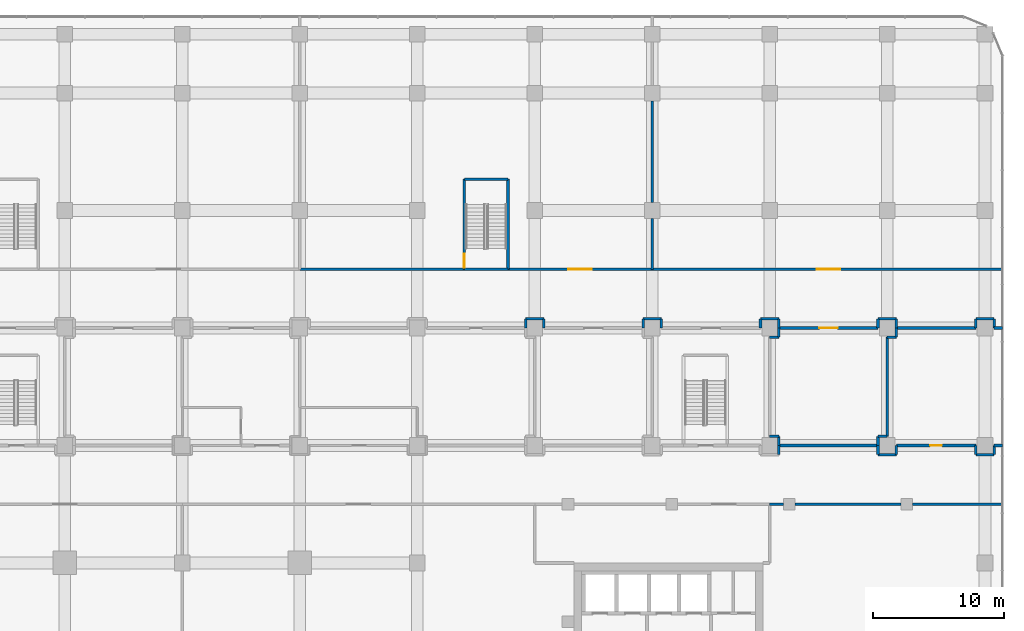
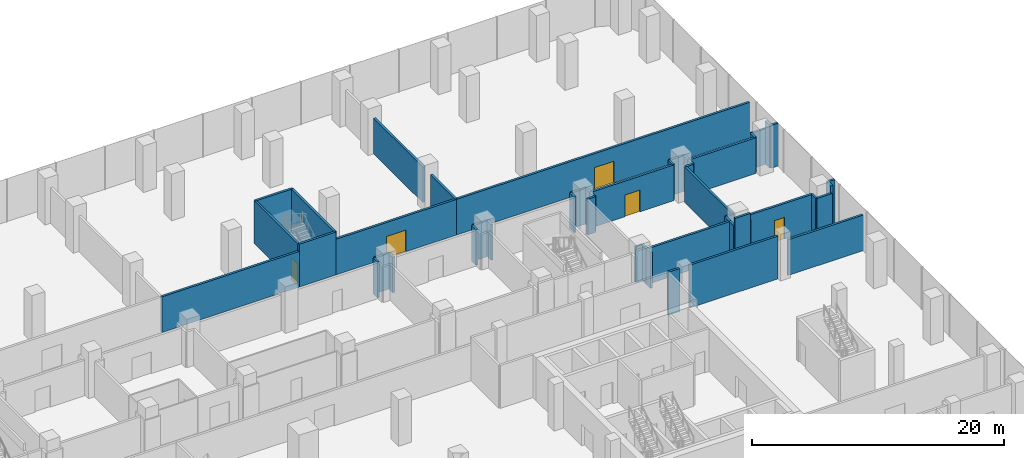
# One storey, part 36 of 43: 49 walls, 5 doors, 5 openings.
"""IFC4 building model written with IfcOpenShell, lengths in metres."""

from ifc_helpers import new_model, si_unit, direction, frame, frame_2d, origin, place, context, subcontext, project, spatial, rectangle, extrude, material, layer, layer_set, type_object, element, fill, save


model = new_model("IFC4")

# Units and contexts
model_context = context("Model", 3, precision=1e-05, world=origin(), true_north=direction((0.0, 1.0)))
body_context = subcontext(model_context, "Body", "Model", "MODEL_VIEW")
ifc_project = project(units=[si_unit("LENGTHUNIT", "METRE"), si_unit("AREAUNIT", "SQUARE_METRE"), si_unit("VOLUMEUNIT", "CUBIC_METRE"), si_unit("PLANEANGLEUNIT", "RADIAN"), si_unit("MASSUNIT", "GRAM", prefix="KILO")], contexts=[model_context])

# Site, building, storey
site_placement = place(None, origin())
site = spatial("IfcSite", under=ifc_project, at=site_placement, CompositionType="ELEMENT")
building_placement = place(site_placement, origin())
building = spatial("IfcBuilding", under=site, at=building_placement, Name="Plateau Cross Towers", CompositionType="ELEMENT")
storey_placement = place(building_placement, frame((0.0, 0.0, 12.800048828125)))
storey = spatial("IfcBuildingStorey", under=building, at=storey_placement, Name="L02", CompositionType="ELEMENT", Elevation=12.800048828125)

# Wall, opening, door
ifc_material_1 = material(Name="Gypsum board on steel studs", Category="steel")
ifc_layer_1 = layer(ifc_material_1, 0.199951171875)
ifc_layer_set_1 = layer_set([ifc_layer_1], Name="Gypsum board on steel studs")
wall_type_1 = type_object("IfcWallType", Name="Podium partition 200", PredefinedType="PARTITIONING", material=ifc_layer_set_1)
wall_1_placement = place(storey_placement, frame((81.0, 40.5, 0.0), z_axis=(0.0, 0.0, 1.0), x_axis=(1.0, 0.0, 0.0)))
wall_1 = element("IfcWall", 1, at=wall_1_placement, inside=storey, type_object=wall_type_1, Name="Partition wall", PredefinedType="PARTITIONING", context=body_context, shape_type="SweptSolid", body=[
    extrude(rectangle(XDim=26.85009765625, YDim=0.199951171875, at=frame_2d((13.425048828125, 0.0))), origin(), (0.0, 0.0, 1.0), 3.449951171875),
])
opening_1_placement = place(wall_1_placement, frame((12.60009765625, 0.0, 0.0)))
opening_1 = element("IfcOpeningElement", 2, at=opening_1_placement, cuts=wall_1, Name="Opening 02-36", PredefinedType="OPENING", context=body_context, shape_type="SweptSolid", body=[
    extrude(rectangle(XDim=1.800048828125, YDim=2.10009765625, at=frame_2d((0.89990234375, 1.050048828125))), frame((0.0, 0.10986328125, 0.0), z_axis=(0.0, -1.0, 0.0), x_axis=(1.0, 0.0, 0.0)), (0.0, 0.0, 1.0), 0.219970703125),
])
ifc_material_2 = material(Name="Aluminium frame, toughened glass", Category="aluminium")
door_type_1 = type_object("IfcDoorType", Name="Podium door pair 1800", OperationType="NOTDEFINED", PredefinedType="DOOR", material=ifc_material_2)
door_1_placement = place(opening_1_placement, origin())
door_1 = element("IfcDoor", 3, at=door_1_placement, inside=storey, type_object=door_type_1, Name="Door 02-36", OperationType="DOUBLE_DOOR_SINGLE_SWING", OverallHeight=2.10009765625, OverallWidth=1.800048828125, PredefinedType="DOOR", context=body_context, shape_type="SweptSolid", body=[
    extrude(rectangle(XDim=1.800048828125, YDim=2.10009765625, at=frame_2d((0.89990234375, 1.050048828125))), frame((0.0, 0.02490234375, 0.0), z_axis=(0.0, -1.0, 0.0), x_axis=(1.0, 0.0, 0.0)), (0.0, 0.0, 1.0), 0.050048828125),
])
fill(opening_1, door_1)

# Walls
wall_2_placement = place(storey_placement, frame((81.0, 53.39990234375, 0.0), z_axis=(0.0, 0.0, 1.0), x_axis=(0.0, -1.0, 0.0)))
element("IfcWall", 4, at=wall_2_placement, inside=storey, type_object=wall_type_1, Name="Partition wall", PredefinedType="PARTITIONING", context=body_context, shape_type="SweptSolid", body=[
    extrude(rectangle(XDim=7.7998046875, YDim=0.199951171875, at=frame_2d((3.89990234375, 0.0))), origin(), (0.0, 0.0, 1.0), 3.449951171875),
])
wall_3_placement = place(storey_placement, frame((81.0, 44.39990234375, 0.0), z_axis=(0.0, 0.0, 1.0), x_axis=(0.0, -1.0, 0.0)))
element("IfcWall", 5, at=wall_3_placement, inside=storey, type_object=wall_type_1, Name="Partition wall", PredefinedType="PARTITIONING", context=body_context, shape_type="SweptSolid", body=[
    extrude(rectangle(XDim=3.89990234375, YDim=0.199951171875, at=frame_2d((1.949951171875, 0.0))), origin(), (0.0, 0.0, 1.0), 3.449951171875),
])
wall_4_placement = place(storey_placement, frame((107.85009765625, 22.5, 0.0), z_axis=(0.0, 0.0, 1.0), x_axis=(-1.0, 0.0, 0.0)))
element("IfcWall", 6, at=wall_4_placement, inside=storey, type_object=wall_type_1, Name="Partition wall", PredefinedType="PARTITIONING", context=body_context, shape_type="SweptSolid", body=[
    extrude(rectangle(XDim=6.900146484375, YDim=0.199951171875, at=frame_2d((3.4501953125, 0.0))), origin(), (0.0, 0.0, 1.0), 3.449951171875),
])
wall_5_placement = place(storey_placement, frame((100.050048828125, 22.5, 0.0), z_axis=(0.0, 0.0, 1.0), x_axis=(-1.0, 0.0, 0.0)))
element("IfcWall", 7, at=wall_5_placement, inside=storey, type_object=wall_type_1, Name="Partition wall", PredefinedType="PARTITIONING", context=body_context, shape_type="SweptSolid", body=[
    extrude(rectangle(XDim=8.10009765625, YDim=0.199951171875, at=frame_2d((4.050048828125, 0.0))), origin(), (0.0, 0.0, 1.0), 4.14990234375),
])
wall_6_placement = place(storey_placement, frame((91.050048828125, 22.5, 0.0), z_axis=(0.0, 0.0, 1.0), x_axis=(-1.0, 0.0, 0.0)))
element("IfcWall", 8, at=wall_6_placement, inside=storey, type_object=wall_type_1, Name="Partition wall", PredefinedType="PARTITIONING", context=body_context, shape_type="SweptSolid", body=[
    extrude(rectangle(XDim=1.050048828125, YDim=0.199951171875, at=frame_2d((0.52490234375, 0.0))), origin(), (0.0, 0.0, 1.0), 4.14990234375),
])
wall_7_placement = place(storey_placement, frame((90.699951171875, 36.0, 0.0), z_axis=(0.0, 0.0, 1.0), x_axis=(0.0, 1.0, 0.0)))
element("IfcWall", 9, at=wall_7_placement, inside=storey, type_object=wall_type_1, Name="Partition wall", PredefinedType="PARTITIONING", context=body_context, shape_type="SweptSolid", body=[
    extrude(rectangle(XDim=0.699951171875, YDim=0.199951171875, at=frame_2d((0.35009765625, 0.0))), origin(), (0.0, 0.0, 1.0), 3.449951171875),
])
wall_8_placement = place(storey_placement, frame((90.699951171875, 36.699951171875, 0.0), z_axis=(0.0, 0.0, 1.0), x_axis=(-1.0, 0.0, 0.0)))
element("IfcWall", 10, at=wall_8_placement, inside=storey, type_object=wall_type_1, Name="Partition wall", PredefinedType="PARTITIONING", context=body_context, shape_type="SweptSolid", body=[
    extrude(rectangle(XDim=1.39990234375, YDim=0.199951171875, at=frame_2d((0.699951171875, 0.0))), origin(), (0.0, 0.0, 1.0), 3.449951171875),
])
for number, where, z_axis, x_axis, name in (
    (11, (89.300048828125, 36.699951171875, 0.0), (0.0, 0.0, 1.0), (0.0, -1.0, 0.0), "Partition wall"),
    (12, (81.699951171875, 36.0, 0.0), (0.0, 0.0, 1.0), (0.0, 1.0, 0.0), "Partition wall"),
):
    element("IfcWall", number, at=place(storey_placement, frame(where, z_axis=z_axis, x_axis=x_axis)), inside=storey, type_object=wall_type_1, Name=name, PredefinedType="PARTITIONING", context=body_context, shape_type="SweptSolid", body=[
        extrude(rectangle(XDim=0.699951171875, YDim=0.199951171875, at=frame_2d((0.35009765625, 0.0))), origin(), (0.0, 0.0, 1.0), 3.449951171875),
    ])
wall_9_placement = place(storey_placement, frame((81.699951171875, 36.699951171875, 0.0), z_axis=(0.0, 0.0, 1.0), x_axis=(-1.0, 0.0, 0.0)))
element("IfcWall", 13, at=wall_9_placement, inside=storey, type_object=wall_type_1, Name="Partition wall", PredefinedType="PARTITIONING", context=body_context, shape_type="SweptSolid", body=[
    extrude(rectangle(XDim=1.39990234375, YDim=0.199951171875, at=frame_2d((0.699951171875, 0.0))), origin(), (0.0, 0.0, 1.0), 3.449951171875),
])
wall_10_placement = place(storey_placement, frame((80.300048828125, 36.699951171875, 0.0), z_axis=(0.0, 0.0, 1.0), x_axis=(0.0, -1.0, 0.0)))
element("IfcWall", 14, at=wall_10_placement, inside=storey, type_object=wall_type_1, Name="Partition wall", PredefinedType="PARTITIONING", context=body_context, shape_type="SweptSolid", body=[
    extrude(rectangle(XDim=0.699951171875, YDim=0.199951171875, at=frame_2d((0.35009765625, 0.0))), origin(), (0.0, 0.0, 1.0), 3.449951171875),
])
wall_11_placement = place(storey_placement, frame((54.0, 40.5, 0.0), z_axis=(0.0, 0.0, 1.0), x_axis=(1.0, 0.0, 0.0)))
element("IfcWall", 15, at=wall_11_placement, inside=storey, type_object=wall_type_1, Name="Partition wall", PredefinedType="PARTITIONING", context=body_context, shape_type="SweptSolid", body=[
    extrude(rectangle(XDim=12.60009765625, YDim=0.199951171875, at=frame_2d((6.300048828125, 0.0))), origin(), (0.0, 0.0, 1.0), 3.449951171875),
])
wall_12_placement = place(storey_placement, frame((98.300048828125, 27.0, 0.0), z_axis=(0.0, 0.0, 1.0), x_axis=(0.0, -1.0, 0.0)))
element("IfcWall", 16, at=wall_12_placement, inside=storey, type_object=wall_type_1, Name="Partition wall", PredefinedType="PARTITIONING", context=body_context, shape_type="SweptSolid", body=[
    extrude(rectangle(XDim=0.699951171875, YDim=0.199951171875, at=frame_2d((0.35009765625, 0.0))), origin(), (0.0, 0.0, 1.0), 3.449951171875),
])
wall_13_placement = place(storey_placement, frame((98.300048828125, 26.300048828125, 0.0), z_axis=(0.0, 0.0, 1.0), x_axis=(1.0, 0.0, 0.0)))
element("IfcWall", 17, at=wall_13_placement, inside=storey, type_object=wall_type_1, Name="Partition wall", PredefinedType="PARTITIONING", context=body_context, shape_type="SweptSolid", body=[
    extrude(rectangle(XDim=1.39990234375, YDim=0.199951171875, at=frame_2d((0.699951171875, 0.0))), origin(), (0.0, 0.0, 1.0), 4.14990234375),
])
wall_14_placement = place(storey_placement, frame((99.699951171875, 26.300048828125, 0.0), z_axis=(0.0, 0.0, 1.0), x_axis=(0.0, 1.0, 0.0)))
element("IfcWall", 18, at=wall_14_placement, inside=storey, type_object=wall_type_1, Name="Partition wall", PredefinedType="PARTITIONING", context=body_context, shape_type="SweptSolid", body=[
    extrude(rectangle(XDim=0.699951171875, YDim=0.199951171875, at=frame_2d((0.35009765625, 0.0))), origin(), (0.0, 0.0, 1.0), 3.449951171875),
])

# Wall, opening, door
wall_15_placement = place(storey_placement, frame((99.699951171875, 27.0, 0.0), z_axis=(0.0, 0.0, 1.0), x_axis=(1.0, 0.0, 0.0)))
wall_15 = element("IfcWall", 19, at=wall_15_placement, inside=storey, type_object=wall_type_1, Name="Partition wall", PredefinedType="PARTITIONING", context=body_context, shape_type="SweptSolid", body=[
    extrude(rectangle(XDim=6.10009765625, YDim=0.199951171875, at=frame_2d((3.050048828125, 0.0))), origin(), (0.0, 0.0, 1.0), 3.449951171875),
])
opening_2_placement = place(wall_15_placement, frame((2.60009765625, 0.0, 0.0)))
opening_2 = element("IfcOpeningElement", 20, at=opening_2_placement, cuts=wall_15, Name="Opening 02-30", PredefinedType="OPENING", context=body_context, shape_type="SweptSolid", body=[
    extrude(rectangle(XDim=0.89990234375, YDim=2.10009765625, at=frame_2d((0.449951171875, 1.050048828125))), frame((0.0, 0.10986328125, 0.0), z_axis=(0.0, -1.0, 0.0), x_axis=(1.0, 0.0, 0.0)), (0.0, 0.0, 1.0), 0.219970703125),
])
ifc_material_3 = material(Name="Timber leaf", Category="wood")
door_type_2 = type_object("IfcDoorType", Name="Podium room door 900", OperationType="NOTDEFINED", PredefinedType="DOOR", material=ifc_material_3)
door_2_placement = place(opening_2_placement, origin())
door_2 = element("IfcDoor", 21, at=door_2_placement, inside=storey, type_object=door_type_2, Name="Door 02-30", OperationType="SINGLE_SWING_LEFT", OverallHeight=2.10009765625, OverallWidth=0.89990234375, PredefinedType="DOOR", context=body_context, shape_type="SweptSolid", body=[
    extrude(rectangle(XDim=0.89990234375, YDim=2.10009765625, at=frame_2d((0.449951171875, 1.050048828125))), frame((0.0, 0.02490234375, 0.0), z_axis=(0.0, -1.0, 0.0), x_axis=(1.0, 0.0, 0.0)), (0.0, 0.0, 1.0), 0.050048828125),
])
fill(opening_2, door_2)

# Walls
wall_16_placement = place(storey_placement, frame((105.800048828125, 27.0, 0.0), z_axis=(0.0, 0.0, 1.0), x_axis=(0.0, -1.0, 0.0)))
element("IfcWall", 22, at=wall_16_placement, inside=storey, type_object=wall_type_1, Name="Partition wall", PredefinedType="PARTITIONING", context=body_context, shape_type="SweptSolid", body=[
    extrude(rectangle(XDim=0.699951171875, YDim=0.199951171875, at=frame_2d((0.35009765625, 0.0))), origin(), (0.0, 0.0, 1.0), 3.449951171875),
])
wall_17_placement = place(storey_placement, frame((105.800048828125, 26.300048828125, 0.0), z_axis=(0.0, 0.0, 1.0), x_axis=(1.0, 0.0, 0.0)))
element("IfcWall", 23, at=wall_17_placement, inside=storey, type_object=wall_type_1, Name="Partition wall", PredefinedType="PARTITIONING", context=body_context, shape_type="SweptSolid", body=[
    extrude(rectangle(XDim=1.39990234375, YDim=0.199951171875, at=frame_2d((0.699951171875, 0.0))), origin(), (0.0, 0.0, 1.0), 3.449951171875),
])
wall_18_placement = place(storey_placement, frame((107.199951171875, 26.300048828125, 0.0), z_axis=(0.0, 0.0, 1.0), x_axis=(0.0, 1.0, 0.0)))
element("IfcWall", 24, at=wall_18_placement, inside=storey, type_object=wall_type_1, Name="Partition wall", PredefinedType="PARTITIONING", context=body_context, shape_type="SweptSolid", body=[
    extrude(rectangle(XDim=0.699951171875, YDim=0.199951171875, at=frame_2d((0.35009765625, 0.0))), origin(), (0.0, 0.0, 1.0), 4.14990234375),
])
wall_19_placement = place(storey_placement, frame((107.199951171875, 27.0, 0.0), z_axis=(0.0, 0.0, 1.0), x_axis=(1.0, 0.0, 0.0)))
element("IfcWall", 25, at=wall_19_placement, inside=storey, type_object=wall_type_1, Name="Partition wall", PredefinedType="PARTITIONING", context=body_context, shape_type="SweptSolid", body=[
    extrude(rectangle(XDim=0.650146484375, YDim=0.199951171875, at=frame_2d((0.3251953125, 0.0))), origin(), (0.0, 0.0, 1.0), 4.14990234375),
])

# Wall, opening, door
wall_20_placement = place(storey_placement, frame((69.949951171875, 40.5, 0.0), z_axis=(0.0, 0.0, 1.0), x_axis=(1.0, 0.0, 0.0)))
wall_20 = element("IfcWall", 26, at=wall_20_placement, inside=storey, type_object=wall_type_1, Name="Partition wall", PredefinedType="PARTITIONING", context=body_context, shape_type="SweptSolid", body=[
    extrude(rectangle(XDim=11.050048828125, YDim=0.199951171875, at=frame_2d((5.52490234375, 0.0))), origin(), (0.0, 0.0, 1.0), 3.449951171875),
])
opening_3_placement = place(wall_20_placement, frame((4.60009765625, 0.0, 0.0)))
opening_3 = element("IfcOpeningElement", 27, at=opening_3_placement, cuts=wall_20, Name="Opening 02-37", PredefinedType="OPENING", context=body_context, shape_type="SweptSolid", body=[
    extrude(rectangle(XDim=1.800048828125, YDim=2.10009765625, at=frame_2d((0.89990234375, 1.050048828125))), frame((0.0, 0.10986328125, 0.0), z_axis=(0.0, -1.0, 0.0), x_axis=(1.0, 0.0, 0.0)), (0.0, 0.0, 1.0), 0.219970703125),
])
door_3_placement = place(opening_3_placement, origin())
door_3 = element("IfcDoor", 28, at=door_3_placement, inside=storey, type_object=door_type_1, Name="Door 02-37", OperationType="DOUBLE_DOOR_SINGLE_SWING", OverallHeight=2.10009765625, OverallWidth=1.800048828125, PredefinedType="DOOR", context=body_context, shape_type="SweptSolid", body=[
    extrude(rectangle(XDim=1.800048828125, YDim=2.10009765625, at=frame_2d((0.89990234375, 1.050048828125))), frame((0.0, 0.02490234375, 0.0), z_axis=(0.0, -1.0, 0.0), x_axis=(1.0, 0.0, 0.0)), (0.0, 0.0, 1.0), 0.050048828125),
])
fill(opening_3, door_3)

# Walls
wall_21_placement = place(storey_placement, frame((72.699951171875, 36.0, 0.0), z_axis=(0.0, 0.0, 1.0), x_axis=(0.0, 1.0, 0.0)))
element("IfcWall", 29, at=wall_21_placement, inside=storey, type_object=wall_type_1, Name="Partition wall", PredefinedType="PARTITIONING", context=body_context, shape_type="SweptSolid", body=[
    extrude(rectangle(XDim=0.699951171875, YDim=0.199951171875, at=frame_2d((0.35009765625, 0.0))), origin(), (0.0, 0.0, 1.0), 3.449951171875),
])
wall_22_placement = place(storey_placement, frame((72.699951171875, 36.699951171875, 0.0), z_axis=(0.0, 0.0, 1.0), x_axis=(-1.0, 0.0, 0.0)))
element("IfcWall", 30, at=wall_22_placement, inside=storey, type_object=wall_type_1, Name="Partition wall", PredefinedType="PARTITIONING", context=body_context, shape_type="SweptSolid", body=[
    extrude(rectangle(XDim=1.39990234375, YDim=0.199951171875, at=frame_2d((0.699951171875, 0.0))), origin(), (0.0, 0.0, 1.0), 3.449951171875),
])
for number, where, z_axis, x_axis, name in (
    (31, (71.300048828125, 36.699951171875, 0.0), (0.0, 0.0, 1.0), (0.0, -1.0, 0.0), "Partition wall"),
    (32, (99.699951171875, 36.0, 0.0), (0.0, 0.0, 1.0), (0.0, 1.0, 0.0), "Partition wall"),
):
    element("IfcWall", number, at=place(storey_placement, frame(where, z_axis=z_axis, x_axis=x_axis)), inside=storey, type_object=wall_type_1, Name=name, PredefinedType="PARTITIONING", context=body_context, shape_type="SweptSolid", body=[
        extrude(rectangle(XDim=0.699951171875, YDim=0.199951171875, at=frame_2d((0.35009765625, 0.0))), origin(), (0.0, 0.0, 1.0), 3.449951171875),
    ])
wall_23_placement = place(storey_placement, frame((99.699951171875, 36.699951171875, 0.0), z_axis=(0.0, 0.0, 1.0), x_axis=(-1.0, 0.0, 0.0)))
element("IfcWall", 33, at=wall_23_placement, inside=storey, type_object=wall_type_1, Name="Partition wall", PredefinedType="PARTITIONING", context=body_context, shape_type="SweptSolid", body=[
    extrude(rectangle(XDim=1.39990234375, YDim=0.199951171875, at=frame_2d((0.699951171875, 0.0))), origin(), (0.0, 0.0, 1.0), 3.449951171875),
])
wall_24_placement = place(storey_placement, frame((98.300048828125, 36.699951171875, 0.0), z_axis=(0.0, 0.0, 1.0), x_axis=(0.0, -1.0, 0.0)))
element("IfcWall", 34, at=wall_24_placement, inside=storey, type_object=wall_type_1, Name="Partition wall", PredefinedType="PARTITIONING", context=body_context, shape_type="SweptSolid", body=[
    extrude(rectangle(XDim=0.699951171875, YDim=0.199951171875, at=frame_2d((0.35009765625, 0.0))), origin(), (0.0, 0.0, 1.0), 3.449951171875),
])

# Wall, opening, door
wall_25_placement = place(storey_placement, frame((98.300048828125, 36.0, 0.0), z_axis=(0.0, 0.0, 1.0), x_axis=(-1.0, 0.0, 0.0)))
wall_25 = element("IfcWall", 35, at=wall_25_placement, inside=storey, type_object=wall_type_1, Name="Partition wall", PredefinedType="PARTITIONING", context=body_context, shape_type="SweptSolid", body=[
    extrude(rectangle(XDim=7.60009765625, YDim=0.199951171875, at=frame_2d((3.800048828125, 0.0))), origin(), (0.0, 0.0, 1.0), 3.449951171875),
])
opening_4_placement = place(wall_25_placement, frame((3.10009765625, 0.0, 0.0)))
opening_4 = element("IfcOpeningElement", 36, at=opening_4_placement, cuts=wall_25, Name="Opening 02-29", PredefinedType="OPENING", context=body_context, shape_type="SweptSolid", body=[
    extrude(rectangle(XDim=1.39990234375, YDim=2.10009765625, at=frame_2d((0.699951171875, 1.050048828125))), frame((0.0, 0.10986328125, 0.0), z_axis=(0.0, -1.0, 0.0), x_axis=(1.0, 0.0, 0.0)), (0.0, 0.0, 1.0), 0.219970703125),
])
ifc_material_4 = material(Name="Timber, hospital grade leaf", Category="wood")
door_type_3 = type_object("IfcDoorType", Name="Clinic bed access door 1400x2100", OperationType="NOTDEFINED", PredefinedType="DOOR", material=ifc_material_4)
door_4_placement = place(opening_4_placement, origin())
door_4 = element("IfcDoor", 37, at=door_4_placement, inside=storey, type_object=door_type_3, Name="Door 02-29", OperationType="SINGLE_SWING_LEFT", OverallHeight=2.10009765625, OverallWidth=1.39990234375, PredefinedType="DOOR", context=body_context, shape_type="SweptSolid", body=[
    extrude(rectangle(XDim=1.39990234375, YDim=2.10009765625, at=frame_2d((0.699951171875, 1.050048828125))), frame((0.0, 0.02490234375, 0.0), z_axis=(0.0, -1.0, 0.0), x_axis=(1.0, 0.0, 0.0)), (0.0, 0.0, 1.0), 0.050048828125),
])
fill(opening_4, door_4)

# Walls
for number, where, z_axis, x_axis, name in (
    (38, (99.699951171875, 36.0, 0.0), (0.0, 0.0, 1.0), (0.0, -1.0, 0.0), "Partition wall"),
    (39, (99.699951171875, 35.300048828125, 0.0), (0.0, 0.0, 1.0), (-1.0, 0.0, 0.0), "Partition wall"),
):
    element("IfcWall", number, at=place(storey_placement, frame(where, z_axis=z_axis, x_axis=x_axis)), inside=storey, type_object=wall_type_1, Name=name, PredefinedType="PARTITIONING", context=body_context, shape_type="SweptSolid", body=[
        extrude(rectangle(XDim=0.699951171875, YDim=0.199951171875, at=frame_2d((0.35009765625, 0.0))), origin(), (0.0, 0.0, 1.0), 3.449951171875),
    ])
wall_26_placement = place(storey_placement, frame((99.0, 35.300048828125, 0.0), z_axis=(0.0, 0.0, 1.0), x_axis=(0.0, -1.0, 0.0)))
element("IfcWall", 40, at=wall_26_placement, inside=storey, type_object=wall_type_1, Name="Partition wall", PredefinedType="PARTITIONING", context=body_context, shape_type="SweptSolid", body=[
    extrude(rectangle(XDim=7.60009765625, YDim=0.199951171875, at=frame_2d((3.800048828125, 0.0))), origin(), (0.0, 0.0, 1.0), 3.449951171875),
])
for number, where, z_axis, x_axis, name in (
    (41, (99.0, 27.699951171875, 0.0), (0.0, 0.0, 1.0), (-1.0, 0.0, 0.0), "Partition wall"),
    (42, (98.300048828125, 27.699951171875, 0.0), (0.0, 0.0, 1.0), (0.0, -1.0, 0.0), "Partition wall"),
    (43, (90.699951171875, 36.0, 0.0), (0.0, 0.0, 1.0), (0.0, -1.0, 0.0), "Partition wall"),
    (44, (90.699951171875, 35.300048828125, 0.0), (0.0, 0.0, 1.0), (-1.0, 0.0, 0.0), "Partition wall"),
    (45, (90.0, 27.699951171875, 0.0), (0.0, 0.0, 1.0), (1.0, 0.0, 0.0), "Partition wall"),
    (46, (90.699951171875, 27.699951171875, 0.0), (0.0, 0.0, 1.0), (0.0, -1.0, 0.0), "Partition wall"),
):
    element("IfcWall", number, at=place(storey_placement, frame(where, z_axis=z_axis, x_axis=x_axis)), inside=storey, type_object=wall_type_1, Name=name, PredefinedType="PARTITIONING", context=body_context, shape_type="SweptSolid", body=[
        extrude(rectangle(XDim=0.699951171875, YDim=0.199951171875, at=frame_2d((0.35009765625, 0.0))), origin(), (0.0, 0.0, 1.0), 3.449951171875),
    ])
wall_27_placement = place(storey_placement, frame((107.85009765625, 36.0, 0.0), z_axis=(0.0, 0.0, 1.0), x_axis=(-1.0, 0.0, 0.0)))
element("IfcWall", 47, at=wall_27_placement, inside=storey, type_object=wall_type_1, Name="Partition wall", PredefinedType="PARTITIONING", context=body_context, shape_type="SweptSolid", body=[
    extrude(rectangle(XDim=0.650146484375, YDim=0.199951171875, at=frame_2d((0.3251953125, 0.0))), origin(), (0.0, 0.0, 1.0), 4.14990234375),
])
wall_28_placement = place(storey_placement, frame((107.199951171875, 36.0, 0.0), z_axis=(0.0, 0.0, 1.0), x_axis=(0.0, 1.0, 0.0)))
element("IfcWall", 48, at=wall_28_placement, inside=storey, type_object=wall_type_1, Name="Partition wall", PredefinedType="PARTITIONING", context=body_context, shape_type="SweptSolid", body=[
    extrude(rectangle(XDim=0.699951171875, YDim=0.199951171875, at=frame_2d((0.35009765625, 0.0))), origin(), (0.0, 0.0, 1.0), 4.14990234375),
])
wall_29_placement = place(storey_placement, frame((107.199951171875, 36.699951171875, 0.0), z_axis=(0.0, 0.0, 1.0), x_axis=(-1.0, 0.0, 0.0)))
element("IfcWall", 49, at=wall_29_placement, inside=storey, type_object=wall_type_1, Name="Partition wall", PredefinedType="PARTITIONING", context=body_context, shape_type="SweptSolid", body=[
    extrude(rectangle(XDim=1.39990234375, YDim=0.199951171875, at=frame_2d((0.699951171875, 0.0))), origin(), (0.0, 0.0, 1.0), 3.449951171875),
])
wall_30_placement = place(storey_placement, frame((105.800048828125, 36.699951171875, 0.0), z_axis=(0.0, 0.0, 1.0), x_axis=(0.0, -1.0, 0.0)))
element("IfcWall", 50, at=wall_30_placement, inside=storey, type_object=wall_type_1, Name="Partition wall", PredefinedType="PARTITIONING", context=body_context, shape_type="SweptSolid", body=[
    extrude(rectangle(XDim=0.699951171875, YDim=0.199951171875, at=frame_2d((0.35009765625, 0.0))), origin(), (0.0, 0.0, 1.0), 3.449951171875),
])
wall_31_placement = place(storey_placement, frame((105.800048828125, 36.0, 0.0), z_axis=(0.0, 0.0, 1.0), x_axis=(-1.0, 0.0, 0.0)))
element("IfcWall", 51, at=wall_31_placement, inside=storey, type_object=wall_type_1, Name="Partition wall", PredefinedType="PARTITIONING", context=body_context, shape_type="SweptSolid", body=[
    extrude(rectangle(XDim=6.0, YDim=0.199951171875, at=frame_2d((3.0, 0.0))), origin(), (0.0, 0.0, 1.0), 3.449951171875),
])
wall_32_placement = place(storey_placement, frame((90.699951171875, 27.0, 0.0), z_axis=(0.0, 0.0, 1.0), x_axis=(1.0, 0.0, 0.0)))
element("IfcWall", 52, at=wall_32_placement, inside=storey, type_object=wall_type_1, Name="Partition wall", PredefinedType="PARTITIONING", context=body_context, shape_type="SweptSolid", body=[
    extrude(rectangle(XDim=7.5, YDim=0.199951171875, at=frame_2d((3.75, 0.0))), origin(), (0.0, 0.0, 1.0), 3.449951171875),
])
wall_33_placement = place(storey_placement, frame((90.699951171875, 26.300048828125, 0.0), z_axis=(0.0, 0.0, 1.0), x_axis=(0.0, 1.0, 0.0)))
element("IfcWall", 53, at=wall_33_placement, inside=storey, type_object=wall_type_1, Name="Partition wall", PredefinedType="PARTITIONING", context=body_context, shape_type="SweptSolid", body=[
    extrude(rectangle(XDim=0.699951171875, YDim=0.199951171875, at=frame_2d((0.35009765625, 0.0))), origin(), (0.0, 0.0, 1.0), 3.449951171875),
])

# Wall, opening, door
ifc_material_5 = material(Name="Fire-rated plasterboard shaft wall system")
ifc_layer_2 = layer(ifc_material_5, 0.199951171875)
ifc_layer_set_2 = layer_set([ifc_layer_2], Name="Fire-rated plasterboard shaft wall system")
wall_type_2 = type_object("IfcWallType", Name="Podium stair shaft wall 200", PredefinedType="PARTITIONING", material=ifc_layer_set_2)
wall_34_placement = place(storey_placement, frame((66.60009765625, 40.5, 0.0), z_axis=(0.0, 0.0, 1.0), x_axis=(0.0, 1.0, 0.0)))
wall_34 = element("IfcWall", 54, at=wall_34_placement, inside=storey, type_object=wall_type_2, Name="Partition wall", PredefinedType="PARTITIONING", context=body_context, shape_type="SweptSolid", body=[
    extrude(rectangle(XDim=6.89990234375, YDim=0.199951171875, at=frame_2d((3.449951171875, 0.0))), origin(), (0.0, 0.0, 1.0), 4.14990234375),
])
opening_5_placement = place(wall_34_placement, frame((0.10009765625, 0.0, 0.0)))
opening_5 = element("IfcOpeningElement", 55, at=opening_5_placement, cuts=wall_34, Name="Opening 02-03", PredefinedType="OPENING", context=body_context, shape_type="SweptSolid", body=[
    extrude(rectangle(XDim=1.10009765625, YDim=2.10009765625, at=frame_2d((0.550048828125, 1.050048828125))), frame((0.0, 0.10986328125, 0.0), z_axis=(0.0, -1.0, 0.0), x_axis=(1.0, 0.0, 0.0)), (0.0, 0.0, 1.0), 0.219970703125),
])
ifc_material_6 = material(Name="Steel, fire-resisting leaf", Category="steel")
door_type_4 = type_object("IfcDoorType", Name="Podium stair door 1100", OperationType="NOTDEFINED", PredefinedType="DOOR", material=ifc_material_6)
door_5_placement = place(opening_5_placement, origin())
door_5 = element("IfcDoor", 56, at=door_5_placement, inside=storey, type_object=door_type_4, Name="Door 02-03", OperationType="SINGLE_SWING_LEFT", OverallHeight=2.10009765625, OverallWidth=1.10009765625, PredefinedType="DOOR", context=body_context, shape_type="SweptSolid", body=[
    extrude(rectangle(XDim=1.10009765625, YDim=2.10009765625, at=frame_2d((0.550048828125, 1.050048828125))), frame((0.0, 0.02490234375, 0.0), z_axis=(0.0, -1.0, 0.0), x_axis=(1.0, 0.0, 0.0)), (0.0, 0.0, 1.0), 0.050048828125),
])
fill(opening_5, door_5)

# Walls
wall_35_placement = place(storey_placement, frame((66.60009765625, 47.39990234375, 0.0), z_axis=(0.0, 0.0, 1.0), x_axis=(1.0, 0.0, 0.0)))
element("IfcWall", 57, at=wall_35_placement, inside=storey, type_object=wall_type_2, Name="Partition wall", PredefinedType="PARTITIONING", context=body_context, shape_type="SweptSolid", body=[
    extrude(rectangle(XDim=3.349853515625, YDim=0.199951171875, at=frame_2d((1.6748046875, 0.0))), origin(), (0.0, 0.0, 1.0), 4.14990234375),
])
wall_36_placement = place(storey_placement, frame((69.949951171875, 47.39990234375, 0.0), z_axis=(0.0, 0.0, 1.0), x_axis=(0.0, -1.0, 0.0)))
element("IfcWall", 58, at=wall_36_placement, inside=storey, type_object=wall_type_2, Name="Partition wall", PredefinedType="PARTITIONING", context=body_context, shape_type="SweptSolid", body=[
    extrude(rectangle(XDim=6.89990234375, YDim=0.199951171875, at=frame_2d((3.449951171875, 0.0))), origin(), (0.0, 0.0, 1.0), 4.14990234375),
])
wall_37_placement = place(storey_placement, frame((69.949951171875, 40.5, 0.0), z_axis=(0.0, 0.0, 1.0), x_axis=(-1.0, 0.0, 0.0)))
element("IfcWall", 59, at=wall_37_placement, inside=storey, type_object=wall_type_2, Name="Partition wall", PredefinedType="PARTITIONING", context=body_context, shape_type="SweptSolid", body=[
    extrude(rectangle(XDim=3.349853515625, YDim=0.199951171875, at=frame_2d((1.6748046875, 0.0))), origin(), (0.0, 0.0, 1.0), 4.14990234375),
])

save(model, "model.ifc")
